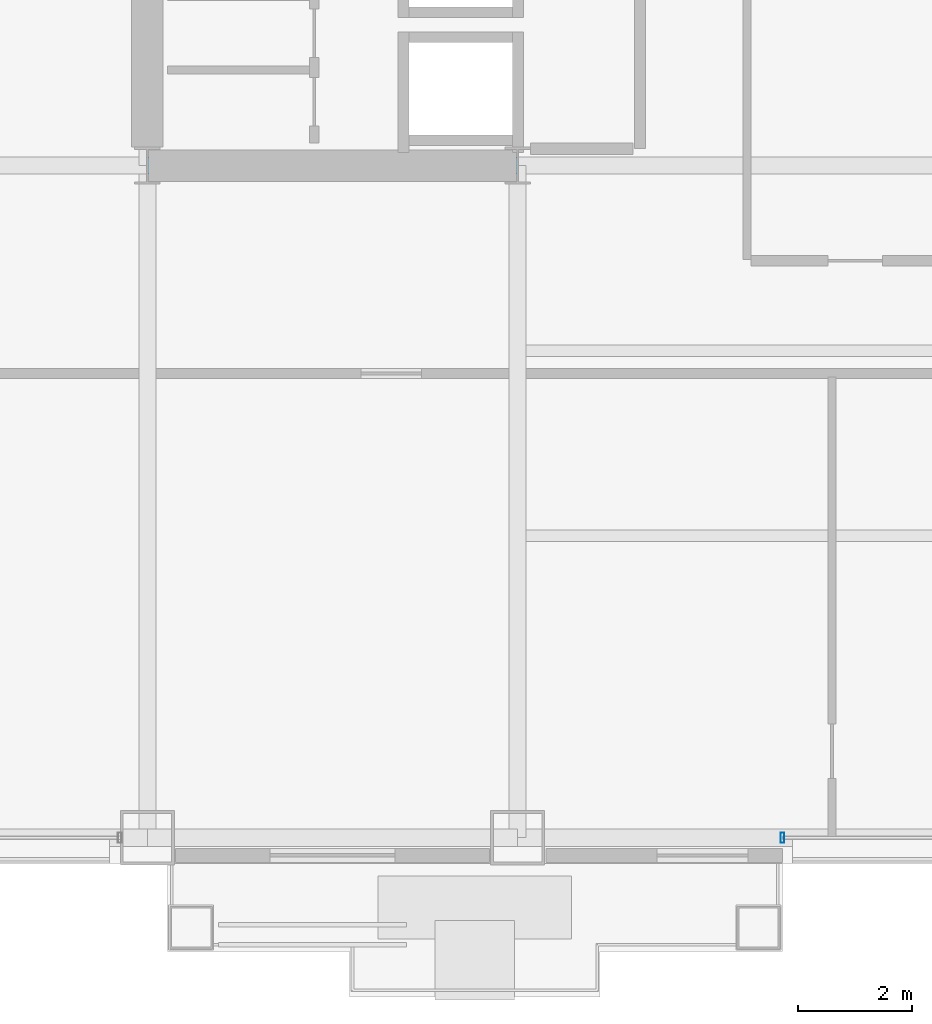
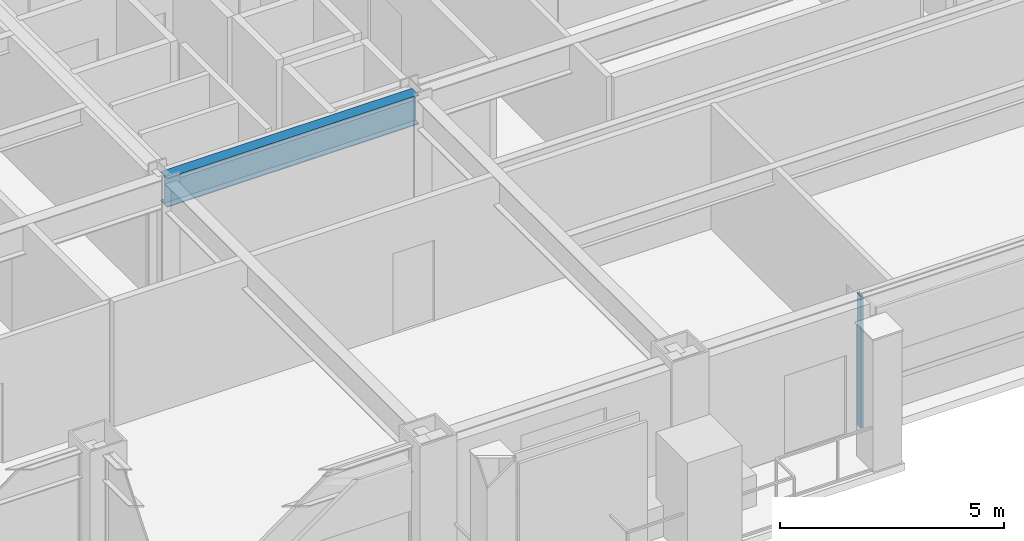
# One storey, part 5 of 31: 1 beam, 1 member, 1 element without a shape of its own.
"""IFC4 building model written with IfcOpenShell, lengths in metres."""

from ifc_helpers import new_model, si_unit, direction, frame, origin, origin_2d, place, context, subcontext, project, spatial, hollow_rectangle, i_section, extrude, material, layer, layer_set, material_profile, profile_set, type_object, element, aggregate, save


model = new_model("IFC4")

# Units and contexts
model_context = context("Model", 3, precision=1e-05, world=origin(), true_north=direction((0.0, 1.0)))
body_context = subcontext(model_context, "Body", "Model", "MODEL_VIEW")
ifc_project = project(units=[si_unit("LENGTHUNIT", "METRE"), si_unit("AREAUNIT", "SQUARE_METRE"), si_unit("VOLUMEUNIT", "CUBIC_METRE"), si_unit("PLANEANGLEUNIT", "RADIAN"), si_unit("MASSUNIT", "GRAM", prefix="KILO")], contexts=[model_context])

# Site, building, storey
site_placement = place(None, origin())
site = spatial("IfcSite", under=ifc_project, at=site_placement, CompositionType="ELEMENT")
building_placement = place(site_placement, origin())
building = spatial("IfcBuilding", under=site, at=building_placement, Name="Brelmoor Portico Tower", CompositionType="ELEMENT")
storey_placement = place(building_placement, frame((0.0, 0.0, 42.0)))
storey = spatial("IfcBuildingStorey", under=building, at=storey_placement, Name="L10", CompositionType="ELEMENT", Elevation=42.0)

# Beam
ifc_material_1 = material(Name="Steel Q355B", Category="steel")
ifc_material_profile_1 = material_profile(ifc_material_1, i_section(OverallWidth=0.300048828125, OverallDepth=0.800048828125, WebThickness=0.013916015625, FlangeThickness=0.02587890625, at=origin_2d()), Name="HN 800x300x14x26")
ifc_profile_set_1 = profile_set([ifc_material_profile_1], Name="Steel Q355B")
beam_type = type_object("IfcBeamType", Name="BM-PG-800", PredefinedType="BEAM", material=ifc_profile_set_1)
beam_placement = place(storey_placement, frame((-14.550048828125, -9.75, 3.0), z_axis=(1.0, 0.0, 0.0), x_axis=(0.0, 1.0, 0.0)))
element("IfcBeam", 1, at=beam_placement, inside=storey, type_object=beam_type, Name="L10 Primary Floor Girder PG-20", PredefinedType="BEAM", context=body_context, shape_type="SweptSolid", body=[
    extrude(i_section(OverallWidth=0.300048828125, OverallDepth=0.800048828125, WebThickness=0.013916015625, FlangeThickness=0.02587890625, at=origin_2d()), origin(), (0.0, 0.0, 1.0), 6.5),
])

# Curtain wall, member
ifc_material_2 = material(Name="Anodised Aluminium Alloy 6063-T6", Category="aluminium")
ifc_layer = layer(ifc_material_2, 0.179931640625)
ifc_layer_set = layer_set([ifc_layer], Name="Anodised Aluminium Alloy 6063-T6")
curtain_wall_type = type_object("IfcCurtainWallType", Name="CW-TOWER-Z1", PredefinedType="NOTDEFINED", material=ifc_layer_set)
curtain_wall_placement = place(storey_placement, origin())
curtain_wall = element("IfcCurtainWall", 2, at=curtain_wall_placement, inside=storey, type_object=curtain_wall_type, Name="L10 Curtain Wall CW-L10-1R-1", PredefinedType="NOTDEFINED")
ifc_material_profile_2 = material_profile(ifc_material_2, hollow_rectangle(XDim=0.06494140625, YDim=0.179931640625, WallThickness=0.00390625, at=origin_2d()), Name="ALU MULLION 65x180")
ifc_profile_set_2 = profile_set([ifc_material_profile_2], Name="Anodised Aluminium Alloy 6063-T6")
member_type = type_object("IfcMemberType", Name="MB-CW-MULL-180", PredefinedType="MULLION", material=ifc_profile_set_2)
member_placement = place(storey_placement, frame((-3.39990234375, -21.550048828125, -0.199951171875), z_axis=(0.0, 0.0, 1.0), x_axis=(1.0, 0.0, 0.0)))
member = element("IfcMember", 3, at=member_placement, type_object=member_type, Name="CW-L10-1R-1 Mullion 00", PredefinedType="MULLION", context=body_context, shape_type="SweptSolid", body=[
    extrude(hollow_rectangle(XDim=0.06494140625, YDim=0.179931640625, WallThickness=0.00390625, at=origin_2d()), origin(), (0.0, 0.0, 1.0), 3.599853515625),
])
aggregate(curtain_wall, [member])

save(model, "model.ifc")
